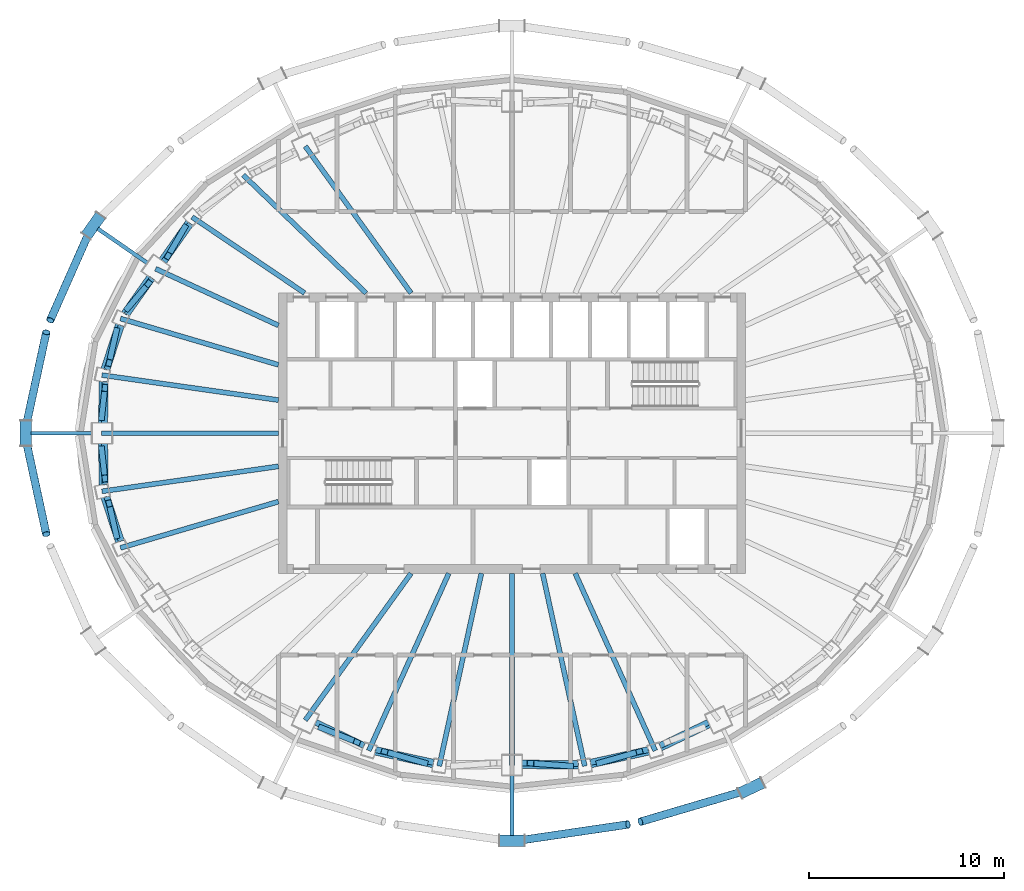
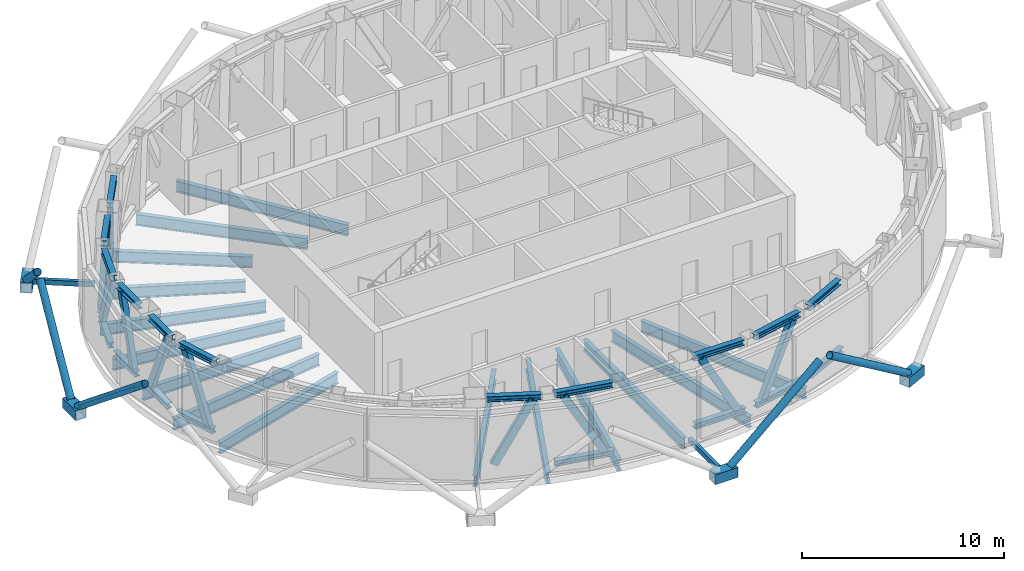
# One storey, part 2 of 15: 36 beams, 22 members.
"""IFC4 building model written with IfcOpenShell, lengths in metres."""

from ifc_helpers import new_model, si_unit, direction, frame, origin, origin_2d, place, context, subcontext, project, spatial, hollow_rectangle, hollow_circle, i_section, extrude, material, material_profile, profile_set, type_object, element, save


model = new_model("IFC4")

# Units and contexts
model_context = context("Model", 3, precision=1e-05, world=origin(), true_north=direction((0.0, 1.0)))
body_context = subcontext(model_context, "Body", "Model", "MODEL_VIEW")
ifc_project = project(units=[si_unit("LENGTHUNIT", "METRE"), si_unit("AREAUNIT", "SQUARE_METRE"), si_unit("VOLUMEUNIT", "CUBIC_METRE"), si_unit("PLANEANGLEUNIT", "RADIAN"), si_unit("MASSUNIT", "GRAM", prefix="KILO")], contexts=[model_context])

# Site, building, storey
site_placement = place(None, origin())
site = spatial("IfcSite", under=ifc_project, at=site_placement, CompositionType="ELEMENT")
building_placement = place(site_placement, origin())
building = spatial("IfcBuilding", under=site, at=building_placement, Name="Siaravel Broadcast Tower", CompositionType="ELEMENT")
storey_placement = place(building_placement, frame((0.0, 0.0, 212.60009765625)))
storey = spatial("IfcBuildingStorey", under=building, at=storey_placement, Name="L51", CompositionType="ELEMENT", Elevation=212.60009765625)

# Beams
ifc_material_1 = material(Name="Steel S355", Category="steel")
ifc_material_profile_1 = material_profile(ifc_material_1, i_section(OverallWidth=0.2529296875, OverallDepth=0.677978515625, WebThickness=0.01171875, FlangeThickness=0.01611328125, FilletRadius=0.01513671875, at=origin_2d()))
ifc_profile_set_1 = profile_set([ifc_material_profile_1], Name="Steel S355")
beam_type_1 = type_object("IfcBeamType", Name="BM-UB 686x254x125", PredefinedType="BEAM", material=ifc_profile_set_1)
beam_1_placement = place(storey_placement, frame((-10.62158203125, 14.7421875, -0.739013671875), z_axis=(0.584564836, -0.811346999, 0.0), x_axis=(0.811346999, 0.584564836, 0.0)))
element("IfcBeam", 1, at=beam_1_placement, inside=storey, type_object=beam_type_1, Name="Radial beam RB13", PredefinedType="BEAM", context=body_context, shape_type="SweptSolid", body=[
    extrude(i_section(OverallWidth=0.2529296875, OverallDepth=0.677978515625, WebThickness=0.01171875, FlangeThickness=0.01611328125, FilletRadius=0.01513671875, at=origin_2d()), origin(), (0.0, 0.0, 1.0), 9.2958984375),
])
beam_2_placement = place(storey_placement, frame((-13.806396484375, 13.2607421875, -0.739013671875), z_axis=(0.721208302, -0.692718258, 0.0), x_axis=(0.692718258, 0.721208302, 0.0)))
element("IfcBeam", 2, at=beam_2_placement, inside=storey, type_object=beam_type_1, Name="Radial beam RB14", PredefinedType="BEAM", context=body_context, shape_type="SweptSolid", body=[
    extrude(i_section(OverallWidth=0.2529296875, OverallDepth=0.677978515625, WebThickness=0.01171875, FlangeThickness=0.01611328125, FilletRadius=0.01513671875, at=origin_2d()), origin(), (0.0, 0.0, 1.0), 8.749267578125),
])
beam_3_placement = place(storey_placement, frame((-16.43505859375, 11.10791015625, -0.739013671875), z_axis=(0.828508257, -0.559976847, 0.0), x_axis=(0.559976847, 0.828508257, 0.0)))
element("IfcBeam", 3, at=beam_3_placement, inside=storey, type_object=beam_type_1, Name="Radial beam RB15", PredefinedType="BEAM", context=body_context, shape_type="SweptSolid", body=[
    extrude(i_section(OverallWidth=0.2529296875, OverallDepth=0.677978515625, WebThickness=0.01171875, FlangeThickness=0.01611328125, FilletRadius=0.01513671875, at=origin_2d()), origin(), (0.0, 0.0, 1.0), 6.978759765625),
])
beam_4_placement = place(storey_placement, frame((-18.312744140625, 8.451904296875, -0.739013671875), z_axis=(0.907959385, -0.419058177, 0.0), x_axis=(0.419058177, 0.907959385, 0.0)))
element("IfcBeam", 4, at=beam_4_placement, inside=storey, type_object=beam_type_1, Name="Radial beam RB16", PredefinedType="BEAM", context=body_context, shape_type="SweptSolid", body=[
    extrude(i_section(OverallWidth=0.2529296875, OverallDepth=0.677978515625, WebThickness=0.01171875, FlangeThickness=0.01611328125, FilletRadius=0.01513671875, at=origin_2d()), origin(), (0.0, 0.0, 1.0), 6.95263671875),
])
beam_5_placement = place(storey_placement, frame((-20.114990234375, 5.89013671875, -0.739013671875), z_axis=(0.959702278, -0.281018751, 0.0), x_axis=(0.281018751, 0.959702278, 0.0)))
element("IfcBeam", 5, at=beam_5_placement, inside=storey, type_object=beam_type_1, Name="Radial beam RB17", PredefinedType="BEAM", context=body_context, shape_type="SweptSolid", body=[
    extrude(i_section(OverallWidth=0.2529296875, OverallDepth=0.677978515625, WebThickness=0.01171875, FlangeThickness=0.01611328125, FilletRadius=0.01513671875, at=origin_2d()), origin(), (0.0, 0.0, 1.0), 8.455810546875),
])
beam_6_placement = place(storey_placement, frame((-21.06494140625, 2.987060546875, -0.739013671875), z_axis=(0.990095622, -0.140394653, 0.0), x_axis=(0.140394653, 0.990095622, 0.0)))
element("IfcBeam", 6, at=beam_6_placement, inside=storey, type_object=beam_type_1, Name="Radial beam RB18", PredefinedType="BEAM", context=body_context, shape_type="SweptSolid", body=[
    extrude(i_section(OverallWidth=0.2529296875, OverallDepth=0.677978515625, WebThickness=0.01171875, FlangeThickness=0.01611328125, FilletRadius=0.01513671875, at=origin_2d()), origin(), (0.0, 0.0, 1.0), 9.155517578125),
])
beam_7_placement = place(storey_placement, frame((-21.083984375, 0.0, -0.739013671875), z_axis=(1.0, 0.0, 0.0), x_axis=(0.0, 1.0, 0.0)))
element("IfcBeam", 7, at=beam_7_placement, inside=storey, type_object=beam_type_1, Name="Radial beam RB19", PredefinedType="BEAM", context=body_context, shape_type="SweptSolid", body=[
    extrude(i_section(OverallWidth=0.2529296875, OverallDepth=0.677978515625, WebThickness=0.01171875, FlangeThickness=0.01611328125, FilletRadius=0.01513671875, at=origin_2d()), origin(), (0.0, 0.0, 1.0), 9.083984375),
])
beam_8_placement = place(storey_placement, frame((-21.06494140625, -2.987060546875, -0.739013671875), z_axis=(0.990095622, 0.140394653, 0.0), x_axis=(-0.140394653, 0.990095622, 0.0)))
element("IfcBeam", 8, at=beam_8_placement, inside=storey, type_object=beam_type_1, Name="Radial beam RB20", PredefinedType="BEAM", context=body_context, shape_type="SweptSolid", body=[
    extrude(i_section(OverallWidth=0.2529296875, OverallDepth=0.677978515625, WebThickness=0.01171875, FlangeThickness=0.01611328125, FilletRadius=0.01513671875, at=origin_2d()), origin(), (0.0, 0.0, 1.0), 9.155517578125),
])
beam_9_placement = place(storey_placement, frame((-20.114990234375, -5.89013671875, -0.739013671875), z_axis=(0.959702278, 0.281018751, 0.0), x_axis=(-0.281018751, 0.959702278, 0.0)))
element("IfcBeam", 9, at=beam_9_placement, inside=storey, type_object=beam_type_1, Name="Radial beam RB21", PredefinedType="BEAM", context=body_context, shape_type="SweptSolid", body=[
    extrude(i_section(OverallWidth=0.2529296875, OverallDepth=0.677978515625, WebThickness=0.01171875, FlangeThickness=0.01611328125, FilletRadius=0.01513671875, at=origin_2d()), origin(), (0.0, 0.0, 1.0), 8.455810546875),
])
beam_10_placement = place(storey_placement, frame((-10.62158203125, -14.7421875, -0.739013671875), z_axis=(0.584564836, 0.811346999, 0.0), x_axis=(-0.811346999, 0.584564836, 0.0)))
element("IfcBeam", 10, at=beam_10_placement, inside=storey, type_object=beam_type_1, Name="Radial beam RB25", PredefinedType="BEAM", context=body_context, shape_type="SweptSolid", body=[
    extrude(i_section(OverallWidth=0.2529296875, OverallDepth=0.677978515625, WebThickness=0.01171875, FlangeThickness=0.01611328125, FilletRadius=0.01513671875, at=origin_2d()), origin(), (0.0, 0.0, 1.0), 9.2958984375),
])
beam_11_placement = place(storey_placement, frame((-7.35888671875, -16.30859375, -0.739013671875), z_axis=(0.411298026, 0.911500924, 0.0), x_axis=(-0.911500924, 0.411298026, 0.0)))
element("IfcBeam", 11, at=beam_11_placement, inside=storey, type_object=beam_type_1, Name="Radial beam RB26", PredefinedType="BEAM", context=body_context, shape_type="SweptSolid", body=[
    extrude(i_section(OverallWidth=0.2529296875, OverallDepth=0.677978515625, WebThickness=0.01171875, FlangeThickness=0.01611328125, FilletRadius=0.01513671875, at=origin_2d()), origin(), (0.0, 0.0, 1.0), 9.992919921875),
])
beam_12_placement = place(storey_placement, frame((-3.73779296875, -17.103515625, -0.739013671875), z_axis=(0.213499359, 0.976943204, 0.0), x_axis=(-0.976943204, 0.213499359, 0.0)))
element("IfcBeam", 12, at=beam_12_placement, inside=storey, type_object=beam_type_1, Name="Radial beam RB27", PredefinedType="BEAM", context=body_context, shape_type="SweptSolid", body=[
    extrude(i_section(OverallWidth=0.2529296875, OverallDepth=0.677978515625, WebThickness=0.01171875, FlangeThickness=0.01611328125, FilletRadius=0.01513671875, at=origin_2d()), origin(), (0.0, 0.0, 1.0), 10.13720703125),
])
beam_13_placement = place(storey_placement, frame((0.0, -17.0712890625, -0.739013671875), z_axis=(0.0, 1.0, 0.0), x_axis=(-1.0, 0.0, 0.0)))
element("IfcBeam", 13, at=beam_13_placement, inside=storey, type_object=beam_type_1, Name="Radial beam RB28", PredefinedType="BEAM", context=body_context, shape_type="SweptSolid", body=[
    extrude(i_section(OverallWidth=0.2529296875, OverallDepth=0.677978515625, WebThickness=0.01171875, FlangeThickness=0.01611328125, FilletRadius=0.01513671875, at=origin_2d()), origin(), (0.0, 0.0, 1.0), 9.871337890625),
])
beam_14_placement = place(storey_placement, frame((3.73779296875, -17.103515625, -0.739013671875), z_axis=(-0.213499359, 0.976943204, 0.0), x_axis=(-0.976943204, -0.213499359, 0.0)))
element("IfcBeam", 14, at=beam_14_placement, inside=storey, type_object=beam_type_1, Name="Radial beam RB29", PredefinedType="BEAM", context=body_context, shape_type="SweptSolid", body=[
    extrude(i_section(OverallWidth=0.2529296875, OverallDepth=0.677978515625, WebThickness=0.01171875, FlangeThickness=0.01611328125, FilletRadius=0.01513671875, at=origin_2d()), origin(), (0.0, 0.0, 1.0), 10.13720703125),
])
beam_15_placement = place(storey_placement, frame((7.35888671875, -16.30859375, -0.739013671875), z_axis=(-0.411298026, 0.911500924, 0.0), x_axis=(-0.911500924, -0.411298026, 0.0)))
element("IfcBeam", 15, at=beam_15_placement, inside=storey, type_object=beam_type_1, Name="Radial beam RB30", PredefinedType="BEAM", context=body_context, shape_type="SweptSolid", body=[
    extrude(i_section(OverallWidth=0.2529296875, OverallDepth=0.677978515625, WebThickness=0.01171875, FlangeThickness=0.01611328125, FilletRadius=0.01513671875, at=origin_2d()), origin(), (0.0, 0.0, 1.0), 9.992919921875),
])
ifc_material_2 = material(Name="Steel S460", Category="steel")
ifc_material_profile_2 = material_profile(ifc_material_2, i_section(OverallWidth=0.311279296875, OverallDepth=0.3271484375, WebThickness=0.015869140625, FlangeThickness=0.02490234375, FilletRadius=0.01513671875, at=origin_2d()))
ifc_profile_set_2 = profile_set([ifc_material_profile_2], Name="Steel S460")
beam_type_2 = type_object("IfcBeamType", Name="Belt truss chord UC 305x305x158", PredefinedType="BEAM", material=ifc_profile_set_2)
beam_16_placement = place(storey_placement, frame((-16.619873046875, 10.846435546875, 0.163330078125), z_axis=(-0.577306781, -0.81652733, 0.0), x_axis=(0.81652733, -0.577306781, 0.0)))
element("IfcBeam", 16, at=beam_16_placement, inside=storey, type_object=beam_type_2, Name="Belt truss 3 bottom chord 15", PredefinedType="BEAM", context=body_context, shape_type="SweptSolid", body=[
    extrude(i_section(OverallWidth=0.311279296875, OverallDepth=0.3271484375, WebThickness=0.015869140625, FlangeThickness=0.02490234375, FilletRadius=0.01513671875, at=origin_2d()), origin(), (0.0, 0.0, 1.0), 2.41259765625),
])
beam_17_placement = place(storey_placement, frame((-16.50048828125, 10.764404296875, 4.1865234375), z_axis=(-0.576675172, -0.816973529, 0.0), x_axis=(0.816973529, -0.576675172, 0.0)))
element("IfcBeam", 17, at=beam_17_placement, inside=storey, type_object=beam_type_2, Name="Belt truss 3 top chord 15", PredefinedType="BEAM", context=body_context, shape_type="SweptSolid", body=[
    extrude(i_section(OverallWidth=0.311279296875, OverallDepth=0.3271484375, WebThickness=0.015869140625, FlangeThickness=0.02490234375, FilletRadius=0.01513671875, at=origin_2d()), origin(), (0.0, 0.0, 1.0), 2.388671875),
])
beam_18_placement = place(storey_placement, frame((-18.612060546875, 8.026611328125, 0.163330078125), z_axis=(-0.575369398, -0.81789367, 0.0), x_axis=(0.81789367, -0.575369398, 0.0)))
element("IfcBeam", 18, at=beam_18_placement, inside=storey, type_object=beam_type_2, Name="Belt truss 3 bottom chord 16", PredefinedType="BEAM", context=body_context, shape_type="SweptSolid", body=[
    extrude(i_section(OverallWidth=0.311279296875, OverallDepth=0.3271484375, WebThickness=0.015869140625, FlangeThickness=0.02490234375, FilletRadius=0.01513671875, at=origin_2d()), origin(), (0.0, 0.0, 1.0), 2.292236328125),
])
beam_19_placement = place(storey_placement, frame((-18.477294921875, 7.962890625, 4.1865234375), z_axis=(-0.576015624, -0.817438683, 0.0), x_axis=(0.817438683, -0.576015624, 0.0)))
element("IfcBeam", 19, at=beam_19_placement, inside=storey, type_object=beam_type_2, Name="Belt truss 3 top chord 16", PredefinedType="BEAM", context=body_context, shape_type="SweptSolid", body=[
    extrude(i_section(OverallWidth=0.311279296875, OverallDepth=0.3271484375, WebThickness=0.015869140625, FlangeThickness=0.02490234375, FilletRadius=0.01513671875, at=origin_2d()), origin(), (0.0, 0.0, 1.0), 2.269287109375),
])
beam_20_placement = place(storey_placement, frame((-20.214599609375, 5.5859375, 0.163330078125), z_axis=(-0.310914519, -0.950437879, 0.0), x_axis=(0.950437879, -0.310914519, 0.0)))
element("IfcBeam", 20, at=beam_20_placement, inside=storey, type_object=beam_type_2, Name="Belt truss 3 bottom chord 17", PredefinedType="BEAM", context=body_context, shape_type="SweptSolid", body=[
    extrude(i_section(OverallWidth=0.311279296875, OverallDepth=0.3271484375, WebThickness=0.015869140625, FlangeThickness=0.02490234375, FilletRadius=0.01513671875, at=origin_2d()), origin(), (0.0, 0.0, 1.0), 2.41455078125),
])
beam_21_placement = place(storey_placement, frame((-20.068115234375, 5.542236328125, 4.1865234375), z_axis=(-0.311017268, -0.950404261, 0.0), x_axis=(0.950404261, -0.311017268, 0.0)))
element("IfcBeam", 21, at=beam_21_placement, inside=storey, type_object=beam_type_2, Name="Belt truss 3 top chord 17", PredefinedType="BEAM", context=body_context, shape_type="SweptSolid", body=[
    extrude(i_section(OverallWidth=0.311279296875, OverallDepth=0.3271484375, WebThickness=0.015869140625, FlangeThickness=0.02490234375, FilletRadius=0.01513671875, at=origin_2d()), origin(), (0.0, 0.0, 1.0), 2.391845703125),
])
beam_22_placement = place(storey_placement, frame((-21.06689453125, 2.6669921875, 0.163330078125), z_axis=(-0.006481556, -0.999978994, 0.0), x_axis=(0.999978994, -0.006481556, 0.0)))
element("IfcBeam", 22, at=beam_22_placement, inside=storey, type_object=beam_type_2, Name="Belt truss 3 bottom chord 18", PredefinedType="BEAM", context=body_context, shape_type="SweptSolid", body=[
    extrude(i_section(OverallWidth=0.311279296875, OverallDepth=0.3271484375, WebThickness=0.015869140625, FlangeThickness=0.02490234375, FilletRadius=0.01513671875, at=origin_2d()), origin(), (0.0, 0.0, 1.0), 2.14697265625),
])
beam_23_placement = place(storey_placement, frame((-20.913330078125, 2.64501953125, 4.1865234375), z_axis=(-0.005629506, -0.999984154, 0.0), x_axis=(0.999984154, -0.005629506, 0.0)))
element("IfcBeam", 23, at=beam_23_placement, inside=storey, type_object=beam_type_2, Name="Belt truss 3 top chord 18", PredefinedType="BEAM", context=body_context, shape_type="SweptSolid", body=[
    extrude(i_section(OverallWidth=0.311279296875, OverallDepth=0.3271484375, WebThickness=0.015869140625, FlangeThickness=0.02490234375, FilletRadius=0.01513671875, at=origin_2d()), origin(), (0.0, 0.0, 1.0), 2.125),
])
beam_24_placement = place(storey_placement, frame((-21.080810546875, -0.52001953125, 0.163330078125), z_axis=(0.006481556, -0.999978994, 0.0), x_axis=(0.999978994, 0.006481556, 0.0)))
element("IfcBeam", 24, at=beam_24_placement, inside=storey, type_object=beam_type_2, Name="Belt truss 3 bottom chord 19", PredefinedType="BEAM", context=body_context, shape_type="SweptSolid", body=[
    extrude(i_section(OverallWidth=0.311279296875, OverallDepth=0.3271484375, WebThickness=0.015869140625, FlangeThickness=0.02490234375, FilletRadius=0.01513671875, at=origin_2d()), origin(), (0.0, 0.0, 1.0), 2.14697265625),
])
beam_25_placement = place(storey_placement, frame((-20.92529296875, -0.52001953125, 4.1865234375), z_axis=(0.005629506, -0.999984154, 0.0), x_axis=(0.999984154, 0.005629506, 0.0)))
element("IfcBeam", 25, at=beam_25_placement, inside=storey, type_object=beam_type_2, Name="Belt truss 3 top chord 19", PredefinedType="BEAM", context=body_context, shape_type="SweptSolid", body=[
    extrude(i_section(OverallWidth=0.311279296875, OverallDepth=0.3271484375, WebThickness=0.015869140625, FlangeThickness=0.02490234375, FilletRadius=0.01513671875, at=origin_2d()), origin(), (0.0, 0.0, 1.0), 2.125),
])
beam_26_placement = place(storey_placement, frame((-20.96533203125, -3.291015625, 0.163330078125), z_axis=(0.310914519, -0.950437879, 0.0), x_axis=(0.950437879, 0.310914519, 0.0)))
element("IfcBeam", 26, at=beam_26_placement, inside=storey, type_object=beam_type_2, Name="Belt truss 3 bottom chord 20", PredefinedType="BEAM", context=body_context, shape_type="SweptSolid", body=[
    extrude(i_section(OverallWidth=0.311279296875, OverallDepth=0.3271484375, WebThickness=0.015869140625, FlangeThickness=0.02490234375, FilletRadius=0.01513671875, at=origin_2d()), origin(), (0.0, 0.0, 1.0), 2.41455078125),
])
beam_27_placement = place(storey_placement, frame((-20.81201171875, -3.26904296875, 4.1865234375), z_axis=(0.311017268, -0.950404261, 0.0), x_axis=(0.950404261, 0.311017268, 0.0)))
element("IfcBeam", 27, at=beam_27_placement, inside=storey, type_object=beam_type_2, Name="Belt truss 3 top chord 20", PredefinedType="BEAM", context=body_context, shape_type="SweptSolid", body=[
    extrude(i_section(OverallWidth=0.311279296875, OverallDepth=0.3271484375, WebThickness=0.015869140625, FlangeThickness=0.02490234375, FilletRadius=0.01513671875, at=origin_2d()), origin(), (0.0, 0.0, 1.0), 2.391845703125),
])
beam_28_placement = place(storey_placement, frame((-10.0751953125, -14.857177734375, 4.1865234375), z_axis=(0.901254422, -0.433290279, 0.0), x_axis=(0.433290279, 0.901254422, 0.0)))
element("IfcBeam", 28, at=beam_28_placement, inside=storey, type_object=beam_type_2, Name="Belt truss 3 top chord 25", PredefinedType="BEAM", context=body_context, shape_type="SweptSolid", body=[
    extrude(i_section(OverallWidth=0.311279296875, OverallDepth=0.3271484375, WebThickness=0.015869140625, FlangeThickness=0.02490234375, FilletRadius=0.01513671875, at=origin_2d()), origin(), (0.0, 0.0, 1.0), 2.753173828125),
])
beam_29_placement = place(storey_placement, frame((-7.046142578125, -16.377197265625, 0.163330078125), z_axis=(0.976734584, -0.21445175, 0.0), x_axis=(0.21445175, 0.976734584, 0.0)))
element("IfcBeam", 29, at=beam_29_placement, inside=storey, type_object=beam_type_2, Name="Belt truss 3 bottom chord 26", PredefinedType="BEAM", context=body_context, shape_type="SweptSolid", body=[
    extrude(i_section(OverallWidth=0.311279296875, OverallDepth=0.3271484375, WebThickness=0.015869140625, FlangeThickness=0.02490234375, FilletRadius=0.01513671875, at=origin_2d()), origin(), (0.0, 0.0, 1.0), 3.06689453125),
])
beam_30_placement = place(storey_placement, frame((-6.992919921875, -16.25732421875, 4.1865234375), z_axis=(0.976743113, -0.214412901, 0.0), x_axis=(0.214412901, 0.976743113, 0.0)))
element("IfcBeam", 30, at=beam_30_placement, inside=storey, type_object=beam_type_2, Name="Belt truss 3 top chord 26", PredefinedType="BEAM", context=body_context, shape_type="SweptSolid", body=[
    extrude(i_section(OverallWidth=0.311279296875, OverallDepth=0.3271484375, WebThickness=0.015869140625, FlangeThickness=0.02490234375, FilletRadius=0.01513671875, at=origin_2d()), origin(), (0.0, 0.0, 1.0), 3.040283203125),
])
beam_31_placement = place(storey_placement, frame((0.52001953125, -17.07568359375, 0.163330078125), z_axis=(0.999963081, -0.008592775, 0.0), x_axis=(0.008592775, 0.999963081, 0.0)))
element("IfcBeam", 31, at=beam_31_placement, inside=storey, type_object=beam_type_2, Name="Belt truss 3 bottom chord 28", PredefinedType="BEAM", context=body_context, shape_type="SweptSolid", body=[
    extrude(i_section(OverallWidth=0.311279296875, OverallDepth=0.3271484375, WebThickness=0.015869140625, FlangeThickness=0.02490234375, FilletRadius=0.01513671875, at=origin_2d()), origin(), (0.0, 0.0, 1.0), 2.89794921875),
])
beam_32_placement = place(storey_placement, frame((0.52001953125, -16.948486328125, 4.1865234375), z_axis=(0.999957826, -0.009184067, 0.0), x_axis=(0.009184067, 0.999957826, 0.0)))
element("IfcBeam", 32, at=beam_32_placement, inside=storey, type_object=beam_type_2, Name="Belt truss 3 top chord 28", PredefinedType="BEAM", context=body_context, shape_type="SweptSolid", body=[
    extrude(i_section(OverallWidth=0.311279296875, OverallDepth=0.3271484375, WebThickness=0.015869140625, FlangeThickness=0.02490234375, FilletRadius=0.01513671875, at=origin_2d()), origin(), (0.0, 0.0, 1.0), 2.870849609375),
])
beam_33_placement = place(storey_placement, frame((4.050537109375, -17.034912109375, 0.163330078125), z_axis=(0.976734584, 0.21445175, 0.0), x_axis=(-0.21445175, 0.976734584, 0.0)))
element("IfcBeam", 33, at=beam_33_placement, inside=storey, type_object=beam_type_2, Name="Belt truss 3 bottom chord 29", PredefinedType="BEAM", context=body_context, shape_type="SweptSolid", body=[
    extrude(i_section(OverallWidth=0.311279296875, OverallDepth=0.3271484375, WebThickness=0.015869140625, FlangeThickness=0.02490234375, FilletRadius=0.01513671875, at=origin_2d()), origin(), (0.0, 0.0, 1.0), 3.06689453125),
])
beam_34_placement = place(storey_placement, frame((4.0234375, -16.9091796875, 4.1865234375), z_axis=(0.976743113, 0.214412901, 0.0), x_axis=(-0.214412901, 0.976743113, 0.0)))
element("IfcBeam", 34, at=beam_34_placement, inside=storey, type_object=beam_type_2, Name="Belt truss 3 top chord 29", PredefinedType="BEAM", context=body_context, shape_type="SweptSolid", body=[
    extrude(i_section(OverallWidth=0.311279296875, OverallDepth=0.3271484375, WebThickness=0.015869140625, FlangeThickness=0.02490234375, FilletRadius=0.01513671875, at=origin_2d()), origin(), (0.0, 0.0, 1.0), 3.040283203125),
])
beam_35_placement = place(storey_placement, frame((7.647216796875, -16.170166015625, 0.163330078125), z_axis=(0.901497012, 0.432785324, 0.0), x_axis=(-0.432785324, 0.901497012, 0.0)))
element("IfcBeam", 35, at=beam_35_placement, inside=storey, type_object=beam_type_2, Name="Belt truss 3 bottom chord 30", PredefinedType="BEAM", context=body_context, shape_type="SweptSolid", body=[
    extrude(i_section(OverallWidth=0.311279296875, OverallDepth=0.3271484375, WebThickness=0.015869140625, FlangeThickness=0.02490234375, FilletRadius=0.01513671875, at=origin_2d()), origin(), (0.0, 0.0, 1.0), 2.779296875),
])
beam_36_placement = place(storey_placement, frame((7.593994140625, -16.050048828125, 4.1865234375), z_axis=(0.901254422, 0.433290279, 0.0), x_axis=(-0.433290279, 0.901254422, 0.0)))
element("IfcBeam", 36, at=beam_36_placement, inside=storey, type_object=beam_type_2, Name="Belt truss 3 top chord 30", PredefinedType="BEAM", context=body_context, shape_type="SweptSolid", body=[
    extrude(i_section(OverallWidth=0.311279296875, OverallDepth=0.3271484375, WebThickness=0.015869140625, FlangeThickness=0.02490234375, FilletRadius=0.01513671875, at=origin_2d()), origin(), (0.0, 0.0, 1.0), 2.753173828125),
])

# Members
ifc_material_profile_3 = material_profile(ifc_material_2, hollow_rectangle(XDim=0.300048828125, YDim=0.39990234375, WallThickness=0.01611328125, at=origin_2d()))
ifc_profile_set_3 = profile_set([ifc_material_profile_3], Name="Steel S460")
member_type_1 = type_object("IfcMemberType", Name="Belt truss web RHS 400x300x16", PredefinedType="BRACE", material=ifc_profile_set_3)
member_1_placement = place(storey_placement, frame((-16.82861328125, 10.551025390625, 0.297119140625), z_axis=(-0.204983139, -0.351535394, 0.913457596), x_axis=(0.863863569, -0.503725852, 0.0)))
element("IfcMember", 37, at=member_1_placement, inside=storey, type_object=member_type_1, Name="Belt truss 3 web 15", PredefinedType="BRACE", context=body_context, shape_type="SweptSolid", body=[
    extrude(hollow_rectangle(XDim=0.300048828125, YDim=0.39990234375, WallThickness=0.01611328125, at=origin_2d()), origin(), (0.0, 0.0, 1.0), 4.111328125),
])
member_2_placement = place(storey_placement, frame((-19.733154296875, 6.43310546875, 0.297119140625), z_axis=(0.258554011, 0.305439266, 0.916436947), x_axis=(-0.763256394, 0.646095718, 0.0)))
element("IfcMember", 38, at=member_2_placement, inside=storey, type_object=member_type_1, Name="Belt truss 3 web 16", PredefinedType="BRACE", context=body_context, shape_type="SweptSolid", body=[
    extrude(hollow_rectangle(XDim=0.300048828125, YDim=0.39990234375, WallThickness=0.01611328125, at=origin_2d()), origin(), (0.0, 0.0, 1.0), 4.09814453125),
])
member_3_placement = place(storey_placement, frame((-20.3271484375, 5.24169921875, 0.297119140625), z_axis=(-0.090787494, -0.396816758, 0.913397006), x_axis=(0.974812316, -0.223026789, 0.0)))
element("IfcMember", 39, at=member_3_placement, inside=storey, type_object=member_type_1, Name="Belt truss 3 web 17", PredefinedType="BRACE", context=body_context, shape_type="SweptSolid", body=[
    extrude(hollow_rectangle(XDim=0.300048828125, YDim=0.39990234375, WallThickness=0.01611328125, at=origin_2d()), origin(), (0.0, 0.0, 1.0), 4.11181640625),
])
for number, where, z_axis, x_axis, name in (
    (40, (-21.07861328125, 0.842041015625, 0.297119140625), (0.040473239, 0.367219131, 0.929253478), (-0.993981053, 0.109552115, 0.0), "Belt truss 3 web 18"),
    (41, (-21.07861328125, -0.842041015625, 0.297119140625), (0.040473239, -0.367219131, 0.929253478), (0.993981053, 0.109552115, 0.0), "Belt truss 3 web 19"),
):
    element("IfcMember", number, at=place(storey_placement, frame(where, z_axis=z_axis, x_axis=x_axis)), inside=storey, type_object=member_type_1, Name=name, PredefinedType="BRACE", context=body_context, shape_type="SweptSolid", body=[
        extrude(hollow_rectangle(XDim=0.300048828125, YDim=0.39990234375, WallThickness=0.01611328125, at=origin_2d()), origin(), (0.0, 0.0, 1.0), 4.04150390625),
    ])
member_4_placement = place(storey_placement, frame((-20.3271484375, -5.24169921875, 0.297119140625), z_axis=(-0.090787494, 0.396816758, 0.913397006), x_axis=(-0.974812316, -0.223026789, 0.0)))
element("IfcMember", 42, at=member_4_placement, inside=storey, type_object=member_type_1, Name="Belt truss 3 web 20", PredefinedType="BRACE", context=body_context, shape_type="SweptSolid", body=[
    extrude(hollow_rectangle(XDim=0.300048828125, YDim=0.39990234375, WallThickness=0.01611328125, at=origin_2d()), origin(), (0.0, 0.0, 1.0), 4.11181640625),
])
member_5_placement = place(storey_placement, frame((-9.777099609375, -15.147705078125, 0.297119140625), z_axis=(0.427915595, -0.170947001, 0.887505136), x_axis=(0.370980488, 0.928640661, 0.0)))
element("IfcMember", 43, at=member_5_placement, inside=storey, type_object=member_type_1, Name="Belt truss 3 web 25", PredefinedType="BRACE", context=body_context, shape_type="SweptSolid", body=[
    extrude(hollow_rectangle(XDim=0.300048828125, YDim=0.39990234375, WallThickness=0.01611328125, at=origin_2d()), origin(), (0.0, 0.0, 1.0), 4.231689453125),
])
member_6_placement = place(storey_placement, frame((-4.499755859375, -16.936279296875, 0.297119140625), z_axis=(-0.474375788, 0.134598757, 0.869971716), x_axis=(-0.272963523, -0.962024384, 0.0)))
element("IfcMember", 44, at=member_6_placement, inside=storey, type_object=member_type_1, Name="Belt truss 3 web 26", PredefinedType="BRACE", context=body_context, shape_type="SweptSolid", body=[
    extrude(hollow_rectangle(XDim=0.300048828125, YDim=0.39990234375, WallThickness=0.01611328125, at=origin_2d()), origin(), (0.0, 0.0, 1.0), 4.31689453125),
])
member_7_placement = place(storey_placement, frame((2.983154296875, -17.096923828125, 0.297119140625), z_axis=(-0.475681065, 0.033826209, 0.878967185), x_axis=(-0.070931993, -0.997481154, 0.0)))
element("IfcMember", 45, at=member_7_placement, inside=storey, type_object=member_type_1, Name="Belt truss 3 web 28", PredefinedType="BRACE", context=body_context, shape_type="SweptSolid", body=[
    extrude(hollow_rectangle(XDim=0.300048828125, YDim=0.39990234375, WallThickness=0.01611328125, at=origin_2d()), origin(), (0.0, 0.0, 1.0), 4.272705078125),
])
member_8_placement = place(storey_placement, frame((4.499755859375, -16.936279296875, 0.297119140625), z_axis=(0.474375788, 0.134598757, 0.869971716), x_axis=(-0.272963523, 0.962024384, 0.0)))
element("IfcMember", 46, at=member_8_placement, inside=storey, type_object=member_type_1, Name="Belt truss 3 web 29", PredefinedType="BRACE", context=body_context, shape_type="SweptSolid", body=[
    extrude(hollow_rectangle(XDim=0.300048828125, YDim=0.39990234375, WallThickness=0.01611328125, at=origin_2d()), origin(), (0.0, 0.0, 1.0), 4.31689453125),
])
ifc_material_profile_4 = material_profile(ifc_material_2, hollow_circle(Radius=0.203125, WallThickness=0.01611328125, at=origin_2d()))
ifc_profile_set_4 = profile_set([ifc_material_profile_4], Name="Steel S460")
member_type_2 = type_object("IfcMemberType", Name="Diagrid diagonal CHS 406.4x16", PredefinedType="BRACE", material=ifc_profile_set_4)
member_9_placement = place(storey_placement, frame((-21.689697265625, 10.397705078125, 0.06982421875), z_axis=(-0.317868325, -0.718237409, 0.618946486), x_axis=(0.914447525, -0.404704489, 0.0)))
element("IfcMember", 47, at=member_9_placement, inside=storey, type_object=member_type_2, Name="Diagrid diagonal R21 station 30A", PredefinedType="BRACE", context=body_context, shape_type="SweptSolid", body=[
    extrude(hollow_circle(Radius=0.203125, WallThickness=0.01611328125, at=origin_2d()), origin(), (0.0, 0.0, 1.0), 6.39794921875),
])
for number, where, z_axis, x_axis, name in (
    (48, (-24.97607421875, 0.323486328125, 0.06982421875), (0.165303173, 0.764824689, 0.622670102), (-0.977431143, 0.211254254, 0.0), "Diagrid diagonal R21 station 36C"),
    (49, (-24.97607421875, -0.323486328125, 0.06982421875), (0.165303173, -0.764824689, 0.622670102), (0.977431143, 0.211254254, 0.0), "Diagrid diagonal R21 station 36A"),
):
    element("IfcMember", number, at=place(storey_placement, frame(where, z_axis=z_axis, x_axis=x_axis)), inside=storey, type_object=member_type_2, Name=name, PredefinedType="BRACE", context=body_context, shape_type="SweptSolid", body=[
        extrude(hollow_circle(Radius=0.203125, WallThickness=0.01611328125, at=origin_2d()), origin(), (0.0, 0.0, 1.0), 6.359619140625),
    ])
member_10_placement = place(storey_placement, frame((0.323486328125, -20.9287109375, 0.06982421875), z_axis=(0.812523548, 0.119491861, 0.570549892), x_axis=(-0.14549769, 0.989358591, 0.0)))
element("IfcMember", 50, at=member_10_placement, inside=storey, type_object=member_type_2, Name="Diagrid diagonal R21 station 54A", PredefinedType="BRACE", context=body_context, shape_type="SweptSolid", body=[
    extrude(hollow_circle(Radius=0.203125, WallThickness=0.01611328125, at=origin_2d()), origin(), (0.0, 0.0, 1.0), 6.940673828125),
])
member_11_placement = place(storey_placement, frame((12.007080078125, -18.36181640625, 0.06982421875), z_axis=(-0.785034847, -0.231919578, 0.574398467), x_axis=(0.283320821, -0.959025189, 0.0)))
element("IfcMember", 51, at=member_11_placement, inside=storey, type_object=member_type_2, Name="Diagrid diagonal R21 station 60C", PredefinedType="BRACE", context=body_context, shape_type="SweptSolid", body=[
    extrude(hollow_circle(Radius=0.203125, WallThickness=0.01611328125, at=origin_2d()), origin(), (0.0, 0.0, 1.0), 6.89404296875),
])
ifc_material_profile_5 = material_profile(ifc_material_2, hollow_rectangle(XDim=0.60009765625, YDim=0.60009765625, WallThickness=0.031982421875, at=origin_2d()))
ifc_profile_set_5 = profile_set([ifc_material_profile_5], Name="Steel S460")
member_type_3 = type_object("IfcMemberType", Name="Diagrid node BOX 600x600x32", PredefinedType="USERDEFINED", material=ifc_profile_set_5)
for number, where, z_axis, x_axis, name in (
    (52, (-21.130859375, 11.19091796875, -0.2001953125), (-0.576030928, -0.817427899, 0.0), (0.817427899, -0.576030928, 0.0), "Diagrid node R21 station 30"),
    (53, (-24.97607421875, 0.646728515625, -0.2001953125), (0.0, -1.0, 0.0), (1.0, 0.0, 0.0), "Diagrid node R21 station 36"),
    (54, (-0.646728515625, -20.9287109375, -0.2001953125), (1.0, 0.0, 0.0), (0.0, 1.0, 0.0), "Diagrid node R21 station 54"),
    (55, (11.715087890625, -18.5, -0.2001953125), (0.903991359, 0.427550726, 0.0), (-0.427550726, 0.903991359, 0.0), "Diagrid node R21 station 60"),
):
    element("IfcMember", number, at=place(storey_placement, frame(where, z_axis=z_axis, x_axis=x_axis)), inside=storey, type_object=member_type_3, Name=name, ObjectType="DIAGRID NODE", PredefinedType="USERDEFINED", context=body_context, shape_type="SweptSolid", body=[
        extrude(hollow_rectangle(XDim=0.60009765625, YDim=0.60009765625, WallThickness=0.031982421875, at=origin_2d()), origin(), (0.0, 0.0, 1.0), 1.29345703125),
    ])
ifc_material_profile_6 = material_profile(ifc_material_2, hollow_rectangle(XDim=0.199951171875, YDim=0.300048828125, WallThickness=0.012451171875, at=origin_2d()))
ifc_profile_set_6 = profile_set([ifc_material_profile_6], Name="Steel S460")
member_type_4 = type_object("IfcMemberType", Name="Diagrid node arm RHS 300x200x12.5", PredefinedType="STRUT", material=ifc_profile_set_6)
member_12_placement = place(storey_placement, frame((-18.740234375, 8.748046875, -0.2001953125), z_axis=(-0.822052855, 0.569411191, 0.0), x_axis=(-0.569411191, -0.822052855, 0.0)))
element("IfcMember", 56, at=member_12_placement, inside=storey, type_object=member_type_4, Name="Node arm R21 station 30", PredefinedType="STRUT", context=body_context, shape_type="SweptSolid", body=[
    extrude(hollow_rectangle(XDim=0.199951171875, YDim=0.300048828125, WallThickness=0.012451171875, at=origin_2d()), origin(), (0.0, 0.0, 1.0), 3.09130859375),
])
member_13_placement = place(storey_placement, frame((-21.60400390625, 0.0, -0.2001953125), z_axis=(-1.0, 0.0, 0.0), x_axis=(0.0, -1.0, 0.0)))
element("IfcMember", 57, at=member_13_placement, inside=storey, type_object=member_type_4, Name="Node arm R21 station 36", PredefinedType="STRUT", context=body_context, shape_type="SweptSolid", body=[
    extrude(hollow_rectangle(XDim=0.199951171875, YDim=0.300048828125, WallThickness=0.012451171875, at=origin_2d()), origin(), (0.0, 0.0, 1.0), 3.10205078125),
])
member_14_placement = place(storey_placement, frame((0.0, -17.59130859375, -0.2001953125), z_axis=(0.0, -1.0, 0.0), x_axis=(1.0, 0.0, 0.0)))
element("IfcMember", 58, at=member_14_placement, inside=storey, type_object=member_type_4, Name="Node arm R21 station 54", PredefinedType="STRUT", context=body_context, shape_type="SweptSolid", body=[
    extrude(hollow_rectangle(XDim=0.199951171875, YDim=0.300048828125, WallThickness=0.012451171875, at=origin_2d()), origin(), (0.0, 0.0, 1.0), 3.0673828125),
])

save(model, "model.ifc")
